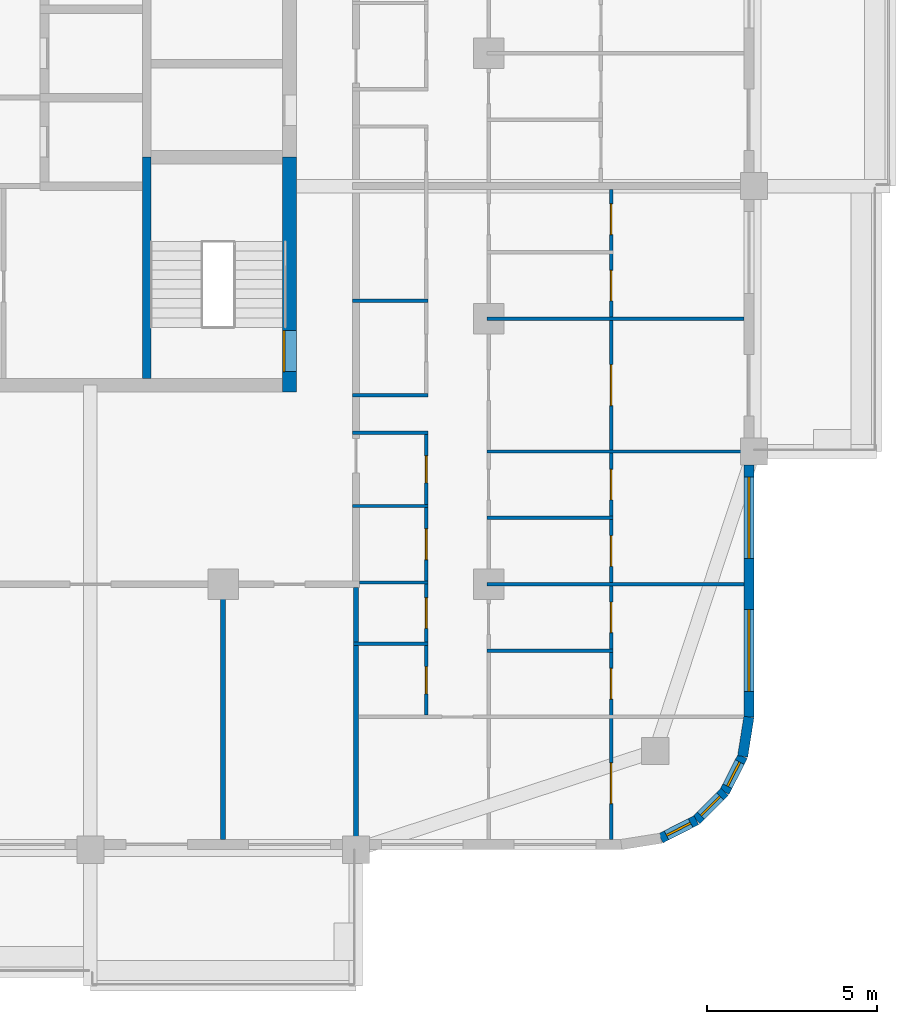
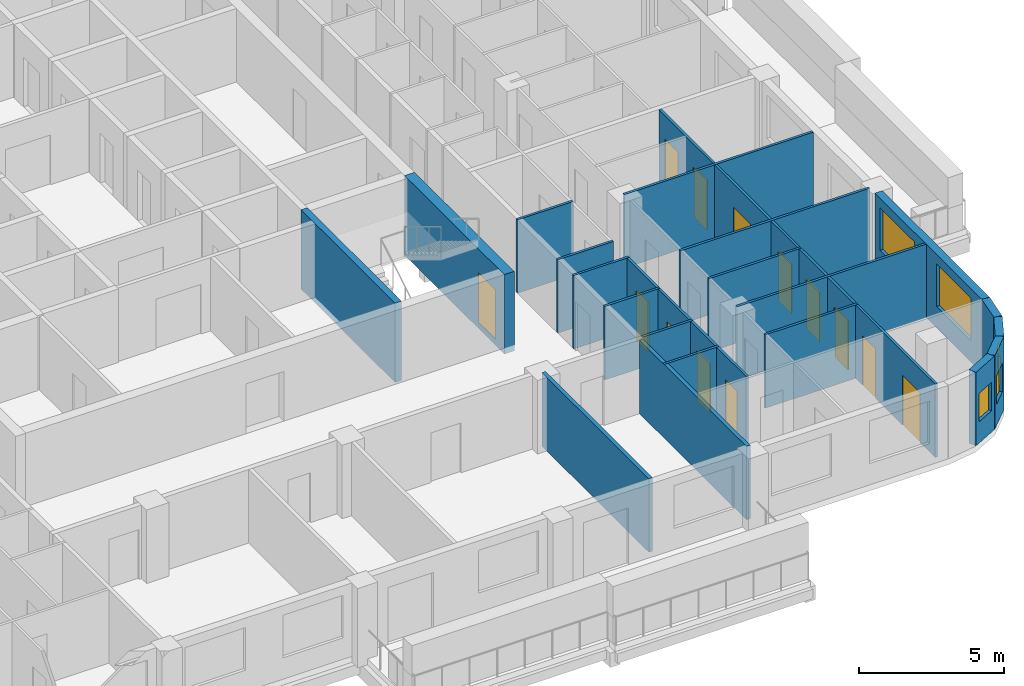
# One storey, part 6 of 16: 22 walls, 13 doors, 5 windows, 18 openings.
"""IFC4 building model written with IfcOpenShell, lengths in metres."""

from ifc_helpers import new_model, si_unit, direction, frame, frame_2d, origin, place, context, subcontext, project, spatial, rectangle, extrude, material, layer, layer_set, type_object, element, fill, save


model = new_model("IFC4")

# Units and contexts
model_context = context("Model", 3, precision=1e-05, world=origin(), true_north=direction((0.0, 1.0)))
body_context = subcontext(model_context, "Body", "Model", "MODEL_VIEW")
ifc_project = project(units=[si_unit("LENGTHUNIT", "METRE"), si_unit("AREAUNIT", "SQUARE_METRE"), si_unit("VOLUMEUNIT", "CUBIC_METRE"), si_unit("PLANEANGLEUNIT", "RADIAN"), si_unit("MASSUNIT", "GRAM", prefix="KILO")], contexts=[model_context])

# Site, building, storey
site_placement = place(None, origin())
site = spatial("IfcSite", under=ifc_project, at=site_placement, CompositionType="ELEMENT")
building_placement = place(site_placement, origin())
building = spatial("IfcBuilding", under=site, at=building_placement, Name="Ludao Terraces", CompositionType="ELEMENT")
storey_placement = place(building_placement, frame((0.0, 0.0, 238.10009765625)))
storey = spatial("IfcBuildingStorey", under=building, at=storey_placement, Name="L65", CompositionType="ELEMENT", Elevation=238.10009765625)

# Wall, opening, door
ifc_material_1 = material(Name="Concrete C50", Category="concrete")
ifc_layer_1 = layer(ifc_material_1, 0.39990234375)
ifc_layer_set_1 = layer_set([ifc_layer_1], Name="Core wall 400 C50")
wall_type_1 = type_object("IfcWallType", Name="Core wall 400 C50", PredefinedType="SOLIDWALL", material=ifc_layer_set_1)
wall_1_placement = place(storey_placement, frame((94.75, 55.050048828125, -0.25), z_axis=(0.0, 0.0, 1.0), x_axis=(0.0, 1.0, 0.0)))
wall_1 = element("IfcWall", 1, at=wall_1_placement, inside=storey, type_object=wall_type_1, Name="Core wall L65 outer-E-S3", PredefinedType="SOLIDWALL", context=body_context, shape_type="SweptSolid", body=[
    extrude(rectangle(XDim=6.89990234375, YDim=0.39990234375, at=frame_2d((3.449951171875, 0.0))), origin(), (0.0, 0.0, 1.0), 3.349853515625),
])
opening_1_placement = place(wall_1_placement, frame((0.60009765625, 0.0, 0.25)))
opening_1 = element("IfcOpeningElement", 2, at=opening_1_placement, cuts=wall_1, Name="Opening R23-038", PredefinedType="OPENING", context=body_context, shape_type="SweptSolid", body=[
    extrude(rectangle(XDim=1.199951171875, YDim=2.10009765625, at=frame_2d((0.60009765625, 1.050048828125))), frame((0.0, 0.2099609375, 0.0), z_axis=(0.0, -1.0, 0.0), x_axis=(1.0, 0.0, 0.0)), (0.0, 0.0, 1.0), 0.419921875),
])
ifc_material_2 = material(Name="Steel Q235", Category="steel")
door_type_1 = type_object("IfcDoorType", Name="INT Stair door 1200", OperationType="DOUBLE_DOOR_SINGLE_SWING", PredefinedType="DOOR", material=ifc_material_2)
door_1_placement = place(opening_1_placement, origin())
door_1 = element("IfcDoor", 3, at=door_1_placement, inside=storey, type_object=door_type_1, Name="DOOR 038", OperationType="DOUBLE_DOOR_SINGLE_SWING", OverallHeight=2.10009765625, OverallWidth=1.199951171875, PredefinedType="DOOR", context=body_context, shape_type="SweptSolid", body=[
    extrude(rectangle(XDim=1.199951171875, YDim=2.10009765625, at=frame_2d((0.60009765625, 1.050048828125))), frame((0.0, 0.18505859375, 0.0), z_axis=(0.0, -1.0, 0.0), x_axis=(1.0, 0.0, 0.0)), (0.0, 0.0, 1.0), 0.050048828125),
])
fill(opening_1, door_1)

# Wall, openings, windows
ifc_material_3 = material(Name="Granite cladding", Category="masonry")
ifc_layer_2 = layer(ifc_material_3, 0.0400390625, Category="stone")
ifc_material_4 = material(Name="Mineral wool")
ifc_layer_3 = layer(ifc_material_4, 0.06005859375)
ifc_material_5 = material(Name="Concrete C40", Category="concrete")
ifc_layer_4 = layer(ifc_material_5, 0.199951171875, Category="concrete")
ifc_layer_set_2 = layer_set([ifc_layer_2, ifc_layer_3, ifc_layer_4], Name="ENV Stone-clad wall 300")
wall_type_2 = type_object("IfcWallType", Name="ENV Stone-clad wall 300", PredefinedType="SOLIDWALL", material=ifc_layer_set_2)
wall_2_placement = place(storey_placement, frame((108.25, 45.5, 0.0), z_axis=(0.0, 0.0, 1.0), x_axis=(0.0, 1.0, 0.0)))
wall_2 = element("IfcWall", 4, at=wall_2_placement, inside=storey, type_object=wall_type_2, Name="EW-L65-E1", PredefinedType="SOLIDWALL", context=body_context, shape_type="SweptSolid", body=[
    extrude(rectangle(XDim=7.39990234375, YDim=0.300048828125, at=frame_2d((3.699951171875, 0.0))), origin(), (0.0, 0.0, 1.0), 3.099853515625),
])
opening_2_placement = place(wall_2_placement, frame((0.75, 0.0, 0.89990234375)))
opening_2 = element("IfcOpeningElement", 5, at=opening_2_placement, cuts=wall_2, Name="Opening W1", PredefinedType="OPENING", context=body_context, shape_type="SweptSolid", body=[
    extrude(rectangle(XDim=2.39990234375, YDim=1.800048828125, at=frame_2d((1.199951171875, 0.89990234375))), frame((0.0, 0.16015625, 0.0), z_axis=(0.0, -1.0, 0.0), x_axis=(1.0, 0.0, 0.0)), (0.0, 0.0, 1.0), 0.320068359375),
])
opening_3_placement = place(wall_2_placement, frame((4.64990234375, 0.0, 0.89990234375)))
opening_3 = element("IfcOpeningElement", 6, at=opening_3_placement, cuts=wall_2, Name="Opening W1", PredefinedType="OPENING", context=body_context, shape_type="SweptSolid", body=[
    extrude(rectangle(XDim=2.39990234375, YDim=1.800048828125, at=frame_2d((1.199951171875, 0.89990234375))), frame((0.0, 0.16015625, 0.0), z_axis=(0.0, -1.0, 0.0), x_axis=(1.0, 0.0, 0.0)), (0.0, 0.0, 1.0), 0.320068359375),
])
ifc_material_6 = material(Name="Clear glass in aluminium frame", Category="aluminium")
ifc_layer_5 = layer(ifc_material_6, 0.06005859375)
ifc_layer_set_3 = layer_set([ifc_layer_5], Name="ENV Window W1 2400x1800")
window_type_1 = type_object("IfcWindowType", Name="ENV Window W1 2400x1800", PartitioningType="DOUBLE_PANEL_VERTICAL", PredefinedType="WINDOW", material=ifc_layer_set_3)
window_1_placement = place(opening_2_placement, origin())
window_1 = element("IfcWindow", 7, at=window_1_placement, inside=storey, type_object=window_type_1, Name="W-L65-E1-1", OverallHeight=1.800048828125, OverallWidth=2.39990234375, PartitioningType="DOUBLE_PANEL_VERTICAL", PredefinedType="WINDOW", context=body_context, shape_type="SweptSolid", body=[
    extrude(rectangle(XDim=2.39990234375, YDim=1.800048828125, at=frame_2d((1.199951171875, 0.89990234375))), frame((0.0, 0.030029296875, 0.0), z_axis=(0.0, -1.0, 0.0), x_axis=(1.0, 0.0, 0.0)), (0.0, 0.0, 1.0), 0.06005859375),
])
fill(opening_2, window_1)
window_2_placement = place(opening_3_placement, origin())
window_2 = element("IfcWindow", 8, at=window_2_placement, inside=storey, type_object=window_type_1, Name="W-L65-E1-2", OverallHeight=1.800048828125, OverallWidth=2.39990234375, PartitioningType="DOUBLE_PANEL_VERTICAL", PredefinedType="WINDOW", context=body_context, shape_type="SweptSolid", body=[
    extrude(rectangle(XDim=2.39990234375, YDim=1.800048828125, at=frame_2d((1.199951171875, 0.89990234375))), frame((0.0, 0.030029296875, 0.0), z_axis=(0.0, -1.0, 0.0), x_axis=(1.0, 0.0, 0.0)), (0.0, 0.0, 1.0), 0.06005859375),
])
fill(opening_3, window_2)

# Wall, opening, window
wall_3_placement = place(storey_placement, frame((105.65869140625, 41.93359375, 0.0), z_axis=(0.0, 0.0, 1.0), x_axis=(0.890988677504, 0.454025524128, 0.0)))
wall_3 = element("IfcWall", 9, at=wall_3_placement, inside=storey, type_object=wall_type_2, Name="EW-L65-SE2", PredefinedType="SOLIDWALL", context=body_context, shape_type="SweptSolid", body=[
    extrude(rectangle(XDim=1.17333984375, YDim=0.300048828125, at=frame_2d((0.586669921875, 0.0))), origin(), (0.0, 0.0, 1.0), 3.099853515625),
])
opening_4_placement = place(wall_3_placement, frame((0.1865234375, 0.0, 0.89990234375)))
opening_4 = element("IfcOpeningElement", 10, at=opening_4_placement, cuts=wall_3, Name="Opening W3", PredefinedType="OPENING", context=body_context, shape_type="SweptSolid", body=[
    extrude(rectangle(XDim=0.800048828125, YDim=1.199951171875, at=frame_2d((0.39990234375, 0.60009765625))), frame((0.0, 0.16015625, 0.0), z_axis=(0.0, -1.0, 0.0), x_axis=(1.0, 0.0, 0.0)), (0.0, 0.0, 1.0), 0.320068359375),
])
ifc_layer_6 = layer(ifc_material_6, 0.06005859375)
ifc_layer_set_4 = layer_set([ifc_layer_6], Name="ENV Window W3 800x1200")
window_type_2 = type_object("IfcWindowType", Name="ENV Window W3 800x1200", PartitioningType="SINGLE_PANEL", PredefinedType="WINDOW", material=ifc_layer_set_4)
window_3_placement = place(opening_4_placement, origin())
window_3 = element("IfcWindow", 11, at=window_3_placement, inside=storey, type_object=window_type_2, Name="W-L65-SE2", OverallHeight=1.199951171875, OverallWidth=0.800048828125, PartitioningType="SINGLE_PANEL", PredefinedType="WINDOW", context=body_context, shape_type="SweptSolid", body=[
    extrude(rectangle(XDim=0.800048828125, YDim=1.199951171875, at=frame_2d((0.39990234375, 0.60009765625))), frame((0.0, 0.030029296875, 0.0), z_axis=(0.0, -1.0, 0.0), x_axis=(1.0, 0.0, 0.0)), (0.0, 0.0, 1.0), 0.06005859375),
])
fill(opening_4, window_3)

wall_4_placement = place(storey_placement, frame((106.7041015625, 42.46630859375, 0.0), z_axis=(0.0, 0.0, 1.0), x_axis=(0.707106781187, 0.707106781187, 0.0)))
wall_4 = element("IfcWall", 12, at=wall_4_placement, inside=storey, type_object=wall_type_2, Name="EW-L65-SE3", PredefinedType="SOLIDWALL", context=body_context, shape_type="SweptSolid", body=[
    extrude(rectangle(XDim=1.173095703125, YDim=0.300048828125, at=frame_2d((0.58642578125, 0.0))), origin(), (0.0, 0.0, 1.0), 3.099853515625),
])
opening_5_placement = place(wall_4_placement, frame((0.1865234375, 0.0, 0.89990234375)))
opening_5 = element("IfcOpeningElement", 13, at=opening_5_placement, cuts=wall_4, Name="Opening W3", PredefinedType="OPENING", context=body_context, shape_type="SweptSolid", body=[
    extrude(rectangle(XDim=0.800048828125, YDim=1.199951171875, at=frame_2d((0.39990234375, 0.60009765625))), frame((0.0, 0.16015625, 0.0), z_axis=(0.0, -1.0, 0.0), x_axis=(1.0, 0.0, 0.0)), (0.0, 0.0, 1.0), 0.320068359375),
])
window_4_placement = place(opening_5_placement, origin())
window_4 = element("IfcWindow", 14, at=window_4_placement, inside=storey, type_object=window_type_2, Name="W-L65-SE3", OverallHeight=1.199951171875, OverallWidth=0.800048828125, PartitioningType="SINGLE_PANEL", PredefinedType="WINDOW", context=body_context, shape_type="SweptSolid", body=[
    extrude(rectangle(XDim=0.800048828125, YDim=1.199951171875, at=frame_2d((0.39990234375, 0.60009765625))), frame((0.0, 0.030029296875, 0.0), z_axis=(0.0, -1.0, 0.0), x_axis=(1.0, 0.0, 0.0)), (0.0, 0.0, 1.0), 0.06005859375),
])
fill(opening_5, window_4)

wall_5_placement = place(storey_placement, frame((107.53369140625, 43.2958984375, 0.0), z_axis=(0.0, 0.0, 1.0), x_axis=(0.454025524128, 0.890988677504, 0.0)))
wall_5 = element("IfcWall", 15, at=wall_5_placement, inside=storey, type_object=wall_type_2, Name="EW-L65-SE4", PredefinedType="SOLIDWALL", context=body_context, shape_type="SweptSolid", body=[
    extrude(rectangle(XDim=1.17333984375, YDim=0.300048828125, at=frame_2d((0.586669921875, 0.0))), origin(), (0.0, 0.0, 1.0), 3.099853515625),
])
opening_6_placement = place(wall_5_placement, frame((0.1865234375, 0.0, 0.89990234375)))
opening_6 = element("IfcOpeningElement", 16, at=opening_6_placement, cuts=wall_5, Name="Opening W3", PredefinedType="OPENING", context=body_context, shape_type="SweptSolid", body=[
    extrude(rectangle(XDim=0.800048828125, YDim=1.199951171875, at=frame_2d((0.39990234375, 0.60009765625))), frame((0.0, 0.16015625, 0.0), z_axis=(0.0, -1.0, 0.0), x_axis=(1.0, 0.0, 0.0)), (0.0, 0.0, 1.0), 0.320068359375),
])
window_5_placement = place(opening_6_placement, origin())
window_5 = element("IfcWindow", 17, at=window_5_placement, inside=storey, type_object=window_type_2, Name="W-L65-SE4", OverallHeight=1.199951171875, OverallWidth=0.800048828125, PartitioningType="SINGLE_PANEL", PredefinedType="WINDOW", context=body_context, shape_type="SweptSolid", body=[
    extrude(rectangle(XDim=0.800048828125, YDim=1.199951171875, at=frame_2d((0.39990234375, 0.60009765625))), frame((0.0, 0.030029296875, 0.0), z_axis=(0.0, -1.0, 0.0), x_axis=(1.0, 0.0, 0.0)), (0.0, 0.0, 1.0), 0.06005859375),
])
fill(opening_6, window_5)

# Walls
wall_6_placement = place(storey_placement, frame((108.06640625, 44.34130859375, 0.0), z_axis=(0.0, 0.0, 1.0), x_axis=(0.156496880861, 0.987678452879, 0.0)))
element("IfcWall", 18, at=wall_6_placement, inside=storey, type_object=wall_type_2, Name="EW-L65-SE5", PredefinedType="SOLIDWALL", context=body_context, shape_type="SweptSolid", body=[
    extrude(rectangle(XDim=1.173095703125, YDim=0.300048828125, at=frame_2d((0.58642578125, 0.0))), origin(), (0.0, 0.0, 1.0), 3.099853515625),
])
ifc_material_7 = material(Name="Gypsum plasterboard", Category="gypsum")
ifc_layer_7 = layer(ifc_material_7, 0.012451171875, Category="gypsum")
ifc_layer_8 = layer(ifc_material_4, 0.06005859375, Name="insulation")
ifc_layer_9 = layer(ifc_material_2, 0.014892578125, Name="stud")
ifc_layer_10 = layer(ifc_material_7, 0.012451171875, Category="gypsum")
ifc_layer_set_5 = layer_set([ifc_layer_7, ifc_layer_8, ifc_layer_9, ifc_layer_10], Name="INT Partition 100")
wall_type_3 = type_object("IfcWallType", Name="INT Partition 100", PredefinedType="PARTITIONING", material=ifc_layer_set_5)
wall_7_placement = place(storey_placement, frame((100.550048828125, 47.449951171875, 0.0), z_axis=(0.0, 0.0, 1.0), x_axis=(1.0, 0.0, 0.0)))
element("IfcWall", 19, at=wall_7_placement, inside=storey, type_object=wall_type_3, Name="PW-L65-PW003", PredefinedType="PARTITIONING", context=body_context, shape_type="SweptSolid", body=[
    extrude(rectangle(XDim=3.699951171875, YDim=0.10009765625, at=frame_2d((1.85009765625, 0.0))), origin(), (0.0, 0.0, 1.0), 3.099853515625),
])
wall_8_placement = place(storey_placement, frame((96.625, 47.64990234375, 0.0), z_axis=(0.0, 0.0, 1.0), x_axis=(1.0, 0.0, 0.0)))
element("IfcWall", 20, at=wall_8_placement, inside=storey, type_object=wall_type_3, Name="PW-L65-PW004", PredefinedType="PARTITIONING", context=body_context, shape_type="SweptSolid", body=[
    extrude(rectangle(XDim=2.195068359375, YDim=0.10009765625, at=frame_2d((1.09765625, 0.0))), origin(), (0.0, 0.0, 1.0), 3.099853515625),
])
wall_9_placement = place(storey_placement, frame((100.550048828125, 49.39990234375, 0.0), z_axis=(0.0, 0.0, 1.0), x_axis=(1.0, 0.0, 0.0)))
element("IfcWall", 21, at=wall_9_placement, inside=storey, type_object=wall_type_3, Name="PW-L65-PW008", PredefinedType="PARTITIONING", context=body_context, shape_type="SweptSolid", body=[
    extrude(rectangle(XDim=7.550048828125, YDim=0.10009765625, at=frame_2d((3.77490234375, 0.0))), origin(), (0.0, 0.0, 1.0), 3.099853515625),
])
wall_10_placement = place(storey_placement, frame((96.800048828125, 49.449951171875, 0.0), z_axis=(0.0, 0.0, 1.0), x_axis=(1.0, 0.0, 0.0)))
element("IfcWall", 22, at=wall_10_placement, inside=storey, type_object=wall_type_3, Name="PW-L65-PW009", PredefinedType="PARTITIONING", context=body_context, shape_type="SweptSolid", body=[
    extrude(rectangle(XDim=2.02001953125, YDim=0.10009765625, at=frame_2d((1.010009765625, 0.0))), origin(), (0.0, 0.0, 1.0), 3.099853515625),
])
wall_11_placement = place(storey_placement, frame((100.550048828125, 51.35009765625, 0.0), z_axis=(0.0, 0.0, 1.0), x_axis=(1.0, 0.0, 0.0)))
element("IfcWall", 23, at=wall_11_placement, inside=storey, type_object=wall_type_3, Name="PW-L65-PW012", PredefinedType="PARTITIONING", context=body_context, shape_type="SweptSolid", body=[
    extrude(rectangle(XDim=3.699951171875, YDim=0.10009765625, at=frame_2d((1.85009765625, 0.0))), origin(), (0.0, 0.0, 1.0), 3.099853515625),
])
wall_12_placement = place(storey_placement, frame((96.60009765625, 51.699951171875, 0.0), z_axis=(0.0, 0.0, 1.0), x_axis=(1.0, 0.0, 0.0)))
element("IfcWall", 24, at=wall_12_placement, inside=storey, type_object=wall_type_3, Name="PW-L65-PW013", PredefinedType="PARTITIONING", context=body_context, shape_type="SweptSolid", body=[
    extrude(rectangle(XDim=2.219970703125, YDim=0.10009765625, at=frame_2d((1.10986328125, 0.0))), origin(), (0.0, 0.0, 1.0), 3.099853515625),
])
wall_13_placement = place(storey_placement, frame((100.550048828125, 53.300048828125, 0.0), z_axis=(0.0, 0.0, 1.0), x_axis=(1.0, 0.0, 0.0)))
element("IfcWall", 25, at=wall_13_placement, inside=storey, type_object=wall_type_3, Name="PW-L65-PW015", PredefinedType="PARTITIONING", context=body_context, shape_type="SweptSolid", body=[
    extrude(rectangle(XDim=7.550048828125, YDim=0.10009765625, at=frame_2d((3.77490234375, 0.0))), origin(), (0.0, 0.0, 1.0), 3.099853515625),
])
for number, where, z_axis, x_axis, name in (
    (26, (96.60009765625, 53.85009765625, 0.0), (0.0, 0.0, 1.0), (1.0, 0.0, 0.0), "PW-L65-PW017"),
    (27, (96.60009765625, 54.949951171875, 0.0), (0.0, 0.0, 1.0), (1.0, 0.0, 0.0), "PW-L65-PW019"),
):
    element("IfcWall", number, at=place(storey_placement, frame(where, z_axis=z_axis, x_axis=x_axis)), inside=storey, type_object=wall_type_3, Name=name, PredefinedType="PARTITIONING", context=body_context, shape_type="SweptSolid", body=[
        extrude(rectangle(XDim=2.219970703125, YDim=0.10009765625, at=frame_2d((1.10986328125, 0.0))), origin(), (0.0, 0.0, 1.0), 3.099853515625),
    ])
wall_14_placement = place(storey_placement, frame((100.550048828125, 57.199951171875, 0.0), z_axis=(0.0, 0.0, 1.0), x_axis=(1.0, 0.0, 0.0)))
element("IfcWall", 28, at=wall_14_placement, inside=storey, type_object=wall_type_3, Name="PW-L65-PW022", PredefinedType="PARTITIONING", context=body_context, shape_type="SweptSolid", body=[
    extrude(rectangle(XDim=7.550048828125, YDim=0.10009765625, at=frame_2d((3.77490234375, 0.0))), origin(), (0.0, 0.0, 1.0), 3.099853515625),
])
wall_15_placement = place(storey_placement, frame((96.60009765625, 57.72998046875, 0.0), z_axis=(0.0, 0.0, 1.0), x_axis=(1.0, 0.0, 0.0)))
element("IfcWall", 29, at=wall_15_placement, inside=storey, type_object=wall_type_3, Name="PW-L65-PW023", PredefinedType="PARTITIONING", context=body_context, shape_type="SweptSolid", body=[
    extrude(rectangle(XDim=2.219970703125, YDim=0.10009765625, at=frame_2d((1.10986328125, 0.0))), origin(), (0.0, 0.0, 1.0), 3.099853515625),
])

# Wall, openings, doors
wall_16_placement = place(storey_placement, frame((98.77001953125, 45.550048828125, 0.0), z_axis=(0.0, 0.0, 1.0), x_axis=(0.0, 1.0, 0.0)))
wall_16 = element("IfcWall", 30, at=wall_16_placement, inside=storey, type_object=wall_type_3, Name="PW-L65-PW095", PredefinedType="PARTITIONING", context=body_context, shape_type="SweptSolid", body=[
    extrude(rectangle(XDim=8.25, YDim=0.10009765625, at=frame_2d((4.125, 0.0))), origin(), (0.0, 0.0, 1.0), 3.099853515625),
])
opening_7_placement = place(wall_16_placement, frame((0.625, 0.0, 0.0)))
opening_7 = element("IfcOpeningElement", 31, at=opening_7_placement, cuts=wall_16, Name="Opening R23-009", PredefinedType="OPENING", context=body_context, shape_type="SweptSolid", body=[
    extrude(rectangle(XDim=0.800048828125, YDim=2.10009765625, at=frame_2d((0.39990234375, 1.050048828125))), frame((0.0, 0.06005859375, 0.0), z_axis=(0.0, -1.0, 0.0), x_axis=(1.0, 0.0, 0.0)), (0.0, 0.0, 1.0), 0.1201171875),
])
opening_8_placement = place(wall_16_placement, frame((2.550048828125, 0.0, 0.0)))
opening_8 = element("IfcOpeningElement", 32, at=opening_8_placement, cuts=wall_16, Name="Opening R23-015", PredefinedType="OPENING", context=body_context, shape_type="SweptSolid", body=[
    extrude(rectangle(XDim=0.89990234375, YDim=2.10009765625, at=frame_2d((0.449951171875, 1.050048828125))), frame((0.0, 0.06005859375, 0.0), z_axis=(0.0, -1.0, 0.0), x_axis=(1.0, 0.0, 0.0)), (0.0, 0.0, 1.0), 0.1201171875),
])
opening_9_placement = place(wall_16_placement, frame((4.574951171875, 0.0, 0.0)))
opening_9 = element("IfcOpeningElement", 33, at=opening_9_placement, cuts=wall_16, Name="Opening R23-023", PredefinedType="OPENING", context=body_context, shape_type="SweptSolid", body=[
    extrude(rectangle(XDim=0.89990234375, YDim=2.10009765625, at=frame_2d((0.449951171875, 1.050048828125))), frame((0.0, 0.06005859375, 0.0), z_axis=(0.0, -1.0, 0.0), x_axis=(1.0, 0.0, 0.0)), (0.0, 0.0, 1.0), 0.1201171875),
])
opening_10_placement = place(wall_16_placement, frame((6.824951171875, 0.0, 0.0)))
opening_10 = element("IfcOpeningElement", 34, at=opening_10_placement, cuts=wall_16, Name="Opening R23-029", PredefinedType="OPENING", context=body_context, shape_type="SweptSolid", body=[
    extrude(rectangle(XDim=0.800048828125, YDim=2.10009765625, at=frame_2d((0.39990234375, 1.050048828125))), frame((0.0, 0.06005859375, 0.0), z_axis=(0.0, -1.0, 0.0), x_axis=(1.0, 0.0, 0.0)), (0.0, 0.0, 1.0), 0.1201171875),
])
ifc_material_8 = material(Name="Timber door leaf", Category="wood")
door_type_2 = type_object("IfcDoorType", Name="INT Bathroom door 900", OperationType="SINGLE_SWING_LEFT", PredefinedType="DOOR", material=ifc_material_8)
door_2_placement = place(opening_8_placement, origin())
door_2 = element("IfcDoor", 35, at=door_2_placement, inside=storey, type_object=door_type_2, Name="DOOR 015", OperationType="SINGLE_SWING_LEFT", OverallHeight=2.10009765625, OverallWidth=0.89990234375, PredefinedType="DOOR", context=body_context, shape_type="SweptSolid", body=[
    extrude(rectangle(XDim=0.89990234375, YDim=2.10009765625, at=frame_2d((0.449951171875, 1.050048828125))), frame((0.0, 0.02490234375, 0.0), z_axis=(0.0, -1.0, 0.0), x_axis=(1.0, 0.0, 0.0)), (0.0, 0.0, 1.0), 0.050048828125),
])
fill(opening_8, door_2)
door_3_placement = place(opening_9_placement, origin())
door_3 = element("IfcDoor", 36, at=door_3_placement, inside=storey, type_object=door_type_2, Name="DOOR 023", OperationType="SINGLE_SWING_RIGHT", OverallHeight=2.10009765625, OverallWidth=0.89990234375, PredefinedType="DOOR", context=body_context, shape_type="SweptSolid", body=[
    extrude(rectangle(XDim=0.89990234375, YDim=2.10009765625, at=frame_2d((0.449951171875, 1.050048828125))), frame((0.0, 0.02490234375, 0.0), z_axis=(0.0, -1.0, 0.0), x_axis=(1.0, 0.0, 0.0)), (0.0, 0.0, 1.0), 0.050048828125),
])
fill(opening_9, door_3)
door_type_3 = type_object("IfcDoorType", Name="INT Store door 800", OperationType="SINGLE_SWING_LEFT", PredefinedType="DOOR", material=ifc_material_8)
door_4_placement = place(opening_7_placement, origin())
door_4 = element("IfcDoor", 37, at=door_4_placement, inside=storey, type_object=door_type_3, Name="DOOR 009", OperationType="SINGLE_SWING_RIGHT", OverallHeight=2.10009765625, OverallWidth=0.800048828125, PredefinedType="DOOR", context=body_context, shape_type="SweptSolid", body=[
    extrude(rectangle(XDim=0.800048828125, YDim=2.10009765625, at=frame_2d((0.39990234375, 1.050048828125))), frame((0.0, 0.02490234375, 0.0), z_axis=(0.0, -1.0, 0.0), x_axis=(1.0, 0.0, 0.0)), (0.0, 0.0, 1.0), 0.050048828125),
])
fill(opening_7, door_4)
door_5_placement = place(opening_10_placement, origin())
door_5 = element("IfcDoor", 38, at=door_5_placement, inside=storey, type_object=door_type_3, Name="DOOR 029", OperationType="SINGLE_SWING_RIGHT", OverallHeight=2.10009765625, OverallWidth=0.800048828125, PredefinedType="DOOR", context=body_context, shape_type="SweptSolid", body=[
    extrude(rectangle(XDim=0.800048828125, YDim=2.10009765625, at=frame_2d((0.39990234375, 1.050048828125))), frame((0.0, 0.02490234375, 0.0), z_axis=(0.0, -1.0, 0.0), x_axis=(1.0, 0.0, 0.0)), (0.0, 0.0, 1.0), 0.050048828125),
])
fill(opening_10, door_5)

wall_17_placement = place(storey_placement, frame((104.199951171875, 41.900146484375, 0.0), z_axis=(0.0, 0.0, 1.0), x_axis=(0.0, 1.0, 0.0)))
wall_17 = element("IfcWall", 39, at=wall_17_placement, inside=storey, type_object=wall_type_3, Name="PW-L65-PW101", PredefinedType="PARTITIONING", context=body_context, shape_type="SweptSolid", body=[
    extrude(rectangle(XDim=19.099853515625, YDim=0.10009765625, at=frame_2d((9.5498046875, 0.0))), origin(), (0.0, 0.0, 1.0), 3.099853515625),
])
opening_11_placement = place(wall_17_placement, frame((1.050048828125, 0.0, 0.0)))
opening_11 = element("IfcOpeningElement", 40, at=opening_11_placement, cuts=wall_17, Name="Opening R23-004", PredefinedType="OPENING", context=body_context, shape_type="SweptSolid", body=[
    extrude(rectangle(XDim=1.199951171875, YDim=2.10009765625, at=frame_2d((0.60009765625, 1.050048828125))), frame((0.0, 0.06005859375, 0.0), z_axis=(0.0, -1.0, 0.0), x_axis=(1.0, 0.0, 0.0)), (0.0, 0.0, 1.0), 0.1201171875),
])
opening_12_placement = place(wall_17_placement, frame((4.125, 0.0, 0.0)))
opening_12 = element("IfcOpeningElement", 41, at=opening_12_placement, cuts=wall_17, Name="Opening R23-008", PredefinedType="OPENING", context=body_context, shape_type="SweptSolid", body=[
    extrude(rectangle(XDim=0.89990234375, YDim=2.10009765625, at=frame_2d((0.449951171875, 1.050048828125))), frame((0.0, 0.06005859375, 0.0), z_axis=(0.0, -1.0, 0.0), x_axis=(1.0, 0.0, 0.0)), (0.0, 0.0, 1.0), 0.1201171875),
])
opening_13_placement = place(wall_17_placement, frame((6.074951171875, 0.0, 0.0)))
opening_13 = element("IfcOpeningElement", 42, at=opening_13_placement, cuts=wall_17, Name="Opening R23-014", PredefinedType="OPENING", context=body_context, shape_type="SweptSolid", body=[
    extrude(rectangle(XDim=0.89990234375, YDim=2.10009765625, at=frame_2d((0.449951171875, 1.050048828125))), frame((0.0, 0.06005859375, 0.0), z_axis=(0.0, -1.0, 0.0), x_axis=(1.0, 0.0, 0.0)), (0.0, 0.0, 1.0), 0.1201171875),
])
opening_14_placement = place(wall_17_placement, frame((8.02490234375, 0.0, 0.0)))
opening_14 = element("IfcOpeningElement", 43, at=opening_14_placement, cuts=wall_17, Name="Opening R23-022", PredefinedType="OPENING", context=body_context, shape_type="SweptSolid", body=[
    extrude(rectangle(XDim=0.89990234375, YDim=2.10009765625, at=frame_2d((0.449951171875, 1.050048828125))), frame((0.0, 0.06005859375, 0.0), z_axis=(0.0, -1.0, 0.0), x_axis=(1.0, 0.0, 0.0)), (0.0, 0.0, 1.0), 0.1201171875),
])
opening_15_placement = place(wall_17_placement, frame((9.97509765625, 0.0, 0.0)))
opening_15 = element("IfcOpeningElement", 44, at=opening_15_placement, cuts=wall_17, Name="Opening R23-027", PredefinedType="OPENING", context=body_context, shape_type="SweptSolid", body=[
    extrude(rectangle(XDim=0.89990234375, YDim=2.10009765625, at=frame_2d((0.449951171875, 1.050048828125))), frame((0.0, 0.06005859375, 0.0), z_axis=(0.0, -1.0, 0.0), x_axis=(1.0, 0.0, 0.0)), (0.0, 0.0, 1.0), 0.1201171875),
])
opening_16_placement = place(wall_17_placement, frame((12.75, 0.0, 0.0)))
opening_16 = element("IfcOpeningElement", 45, at=opening_16_placement, cuts=wall_17, Name="Opening R23-036", PredefinedType="OPENING", context=body_context, shape_type="SweptSolid", body=[
    extrude(rectangle(XDim=1.199951171875, YDim=2.10009765625, at=frame_2d((0.60009765625, 1.050048828125))), frame((0.0, 0.06005859375, 0.0), z_axis=(0.0, -1.0, 0.0), x_axis=(1.0, 0.0, 0.0)), (0.0, 0.0, 1.0), 0.1201171875),
])
opening_17_placement = place(wall_17_placement, frame((15.824951171875, 0.0, 0.0)))
opening_17 = element("IfcOpeningElement", 46, at=opening_17_placement, cuts=wall_17, Name="Opening R23-044", PredefinedType="OPENING", context=body_context, shape_type="SweptSolid", body=[
    extrude(rectangle(XDim=0.89990234375, YDim=2.10009765625, at=frame_2d((0.449951171875, 1.050048828125))), frame((0.0, 0.06005859375, 0.0), z_axis=(0.0, -1.0, 0.0), x_axis=(1.0, 0.0, 0.0)), (0.0, 0.0, 1.0), 0.1201171875),
])
opening_18_placement = place(wall_17_placement, frame((17.77490234375, 0.0, 0.0)))
opening_18 = element("IfcOpeningElement", 47, at=opening_18_placement, cuts=wall_17, Name="Opening R23-050", PredefinedType="OPENING", context=body_context, shape_type="SweptSolid", body=[
    extrude(rectangle(XDim=0.89990234375, YDim=2.10009765625, at=frame_2d((0.449951171875, 1.050048828125))), frame((0.0, 0.06005859375, 0.0), z_axis=(0.0, -1.0, 0.0), x_axis=(1.0, 0.0, 0.0)), (0.0, 0.0, 1.0), 0.1201171875),
])
door_6_placement = place(opening_12_placement, origin())
door_6 = element("IfcDoor", 48, at=door_6_placement, inside=storey, type_object=door_type_2, Name="DOOR 008", OperationType="SINGLE_SWING_RIGHT", OverallHeight=2.10009765625, OverallWidth=0.89990234375, PredefinedType="DOOR", context=body_context, shape_type="SweptSolid", body=[
    extrude(rectangle(XDim=0.89990234375, YDim=2.10009765625, at=frame_2d((0.449951171875, 1.050048828125))), frame((0.0, 0.02490234375, 0.0), z_axis=(0.0, -1.0, 0.0), x_axis=(1.0, 0.0, 0.0)), (0.0, 0.0, 1.0), 0.050048828125),
])
fill(opening_12, door_6)
door_7_placement = place(opening_14_placement, origin())
door_7 = element("IfcDoor", 49, at=door_7_placement, inside=storey, type_object=door_type_2, Name="DOOR 022", OperationType="SINGLE_SWING_LEFT", OverallHeight=2.10009765625, OverallWidth=0.89990234375, PredefinedType="DOOR", context=body_context, shape_type="SweptSolid", body=[
    extrude(rectangle(XDim=0.89990234375, YDim=2.10009765625, at=frame_2d((0.449951171875, 1.050048828125))), frame((0.0, 0.02490234375, 0.0), z_axis=(0.0, -1.0, 0.0), x_axis=(1.0, 0.0, 0.0)), (0.0, 0.0, 1.0), 0.050048828125),
])
fill(opening_14, door_7)
door_8_placement = place(opening_17_placement, origin())
door_8 = element("IfcDoor", 50, at=door_8_placement, inside=storey, type_object=door_type_2, Name="DOOR 044", OperationType="SINGLE_SWING_LEFT", OverallHeight=2.10009765625, OverallWidth=0.89990234375, PredefinedType="DOOR", context=body_context, shape_type="SweptSolid", body=[
    extrude(rectangle(XDim=0.89990234375, YDim=2.10009765625, at=frame_2d((0.449951171875, 1.050048828125))), frame((0.0, 0.02490234375, 0.0), z_axis=(0.0, -1.0, 0.0), x_axis=(1.0, 0.0, 0.0)), (0.0, 0.0, 1.0), 0.050048828125),
])
fill(opening_17, door_8)
door_type_4 = type_object("IfcDoorType", Name="INT Double door 1200", OperationType="DOUBLE_DOOR_SINGLE_SWING", PredefinedType="DOOR", material=ifc_material_8)
door_9_placement = place(opening_11_placement, origin())
door_9 = element("IfcDoor", 51, at=door_9_placement, inside=storey, type_object=door_type_4, Name="DOOR 004", OperationType="DOUBLE_DOOR_SINGLE_SWING", OverallHeight=2.10009765625, OverallWidth=1.199951171875, PredefinedType="DOOR", context=body_context, shape_type="SweptSolid", body=[
    extrude(rectangle(XDim=1.199951171875, YDim=2.10009765625, at=frame_2d((0.60009765625, 1.050048828125))), frame((0.0, 0.02490234375, 0.0), z_axis=(0.0, -1.0, 0.0), x_axis=(1.0, 0.0, 0.0)), (0.0, 0.0, 1.0), 0.050048828125),
])
fill(opening_11, door_9)
door_10_placement = place(opening_16_placement, origin())
door_10 = element("IfcDoor", 52, at=door_10_placement, inside=storey, type_object=door_type_4, Name="DOOR 036", OperationType="DOUBLE_DOOR_SINGLE_SWING", OverallHeight=2.10009765625, OverallWidth=1.199951171875, PredefinedType="DOOR", context=body_context, shape_type="SweptSolid", body=[
    extrude(rectangle(XDim=1.199951171875, YDim=2.10009765625, at=frame_2d((0.60009765625, 1.050048828125))), frame((0.0, 0.02490234375, 0.0), z_axis=(0.0, -1.0, 0.0), x_axis=(1.0, 0.0, 0.0)), (0.0, 0.0, 1.0), 0.050048828125),
])
fill(opening_16, door_10)
door_type_5 = type_object("IfcDoorType", Name="INT Room door 900", OperationType="SINGLE_SWING_LEFT", PredefinedType="DOOR", material=ifc_material_8)
door_11_placement = place(opening_13_placement, origin())
door_11 = element("IfcDoor", 53, at=door_11_placement, inside=storey, type_object=door_type_5, Name="DOOR 014", OperationType="SINGLE_SWING_LEFT", OverallHeight=2.10009765625, OverallWidth=0.89990234375, PredefinedType="DOOR", context=body_context, shape_type="SweptSolid", body=[
    extrude(rectangle(XDim=0.89990234375, YDim=2.10009765625, at=frame_2d((0.449951171875, 1.050048828125))), frame((0.0, 0.02490234375, 0.0), z_axis=(0.0, -1.0, 0.0), x_axis=(1.0, 0.0, 0.0)), (0.0, 0.0, 1.0), 0.050048828125),
])
fill(opening_13, door_11)
door_12_placement = place(opening_15_placement, origin())
door_12 = element("IfcDoor", 54, at=door_12_placement, inside=storey, type_object=door_type_5, Name="DOOR 027", OperationType="SINGLE_SWING_RIGHT", OverallHeight=2.10009765625, OverallWidth=0.89990234375, PredefinedType="DOOR", context=body_context, shape_type="SweptSolid", body=[
    extrude(rectangle(XDim=0.89990234375, YDim=2.10009765625, at=frame_2d((0.449951171875, 1.050048828125))), frame((0.0, 0.02490234375, 0.0), z_axis=(0.0, -1.0, 0.0), x_axis=(1.0, 0.0, 0.0)), (0.0, 0.0, 1.0), 0.050048828125),
])
fill(opening_15, door_12)
door_13_placement = place(opening_18_placement, origin())
door_13 = element("IfcDoor", 55, at=door_13_placement, inside=storey, type_object=door_type_5, Name="DOOR 050", OperationType="SINGLE_SWING_LEFT", OverallHeight=2.10009765625, OverallWidth=0.89990234375, PredefinedType="DOOR", context=body_context, shape_type="SweptSolid", body=[
    extrude(rectangle(XDim=0.89990234375, YDim=2.10009765625, at=frame_2d((0.449951171875, 1.050048828125))), frame((0.0, 0.02490234375, 0.0), z_axis=(0.0, -1.0, 0.0), x_axis=(1.0, 0.0, 0.0)), (0.0, 0.0, 1.0), 0.050048828125),
])
fill(opening_18, door_13)

# Walls
ifc_material_9 = material(Name="Autoclaved aerated concrete block B06 A3.5", Category="concrete")
ifc_layer_11 = layer(ifc_material_9, 0.14990234375)
ifc_layer_set_6 = layer_set([ifc_layer_11], Name="INT Party wall 150")
wall_type_4 = type_object("IfcWallType", Name="INT Party wall 150", PredefinedType="PARTITIONING", material=ifc_layer_set_6)
for number, where, z_axis, x_axis, name in (
    (56, (92.800048828125, 41.900146484375, 0.0), (0.0, 0.0, 1.0), (0.0, 1.0, 0.0), "PW-L65-PW090"),
    (57, (96.699951171875, 41.900146484375, 0.0), (0.0, 0.0, 1.0), (0.0, 1.0, 0.0), "PW-L65-PW092"),
):
    element("IfcWall", number, at=place(storey_placement, frame(where, z_axis=z_axis, x_axis=x_axis)), inside=storey, type_object=wall_type_4, Name=name, PredefinedType="PARTITIONING", context=body_context, shape_type="SweptSolid", body=[
        extrude(rectangle(XDim=7.39990234375, YDim=0.14990234375, at=frame_2d((3.699951171875, 0.0))), origin(), (0.0, 0.0, 1.0), 3.099853515625),
    ])
ifc_layer_12 = layer(ifc_material_1, 0.25)
ifc_layer_set_7 = layer_set([ifc_layer_12], Name="Shaft wall 250 C50")
wall_type_5 = type_object("IfcWallType", Name="Shaft wall 250 C50", PredefinedType="SOLIDWALL", material=ifc_layer_set_7)
wall_18_placement = place(storey_placement, frame((90.550048828125, 55.449951171875, -0.25), z_axis=(0.0, 0.0, 1.0), x_axis=(0.0, 1.0, 0.0)))
element("IfcWall", 58, at=wall_18_placement, inside=storey, type_object=wall_type_5, Name="Core wall L65 back-E-S3", PredefinedType="SOLIDWALL", context=body_context, shape_type="SweptSolid", body=[
    extrude(rectangle(XDim=6.5, YDim=0.25, at=frame_2d((3.25, 0.0))), origin(), (0.0, 0.0, 1.0), 3.349853515625),
])

save(model, "model.ifc")
